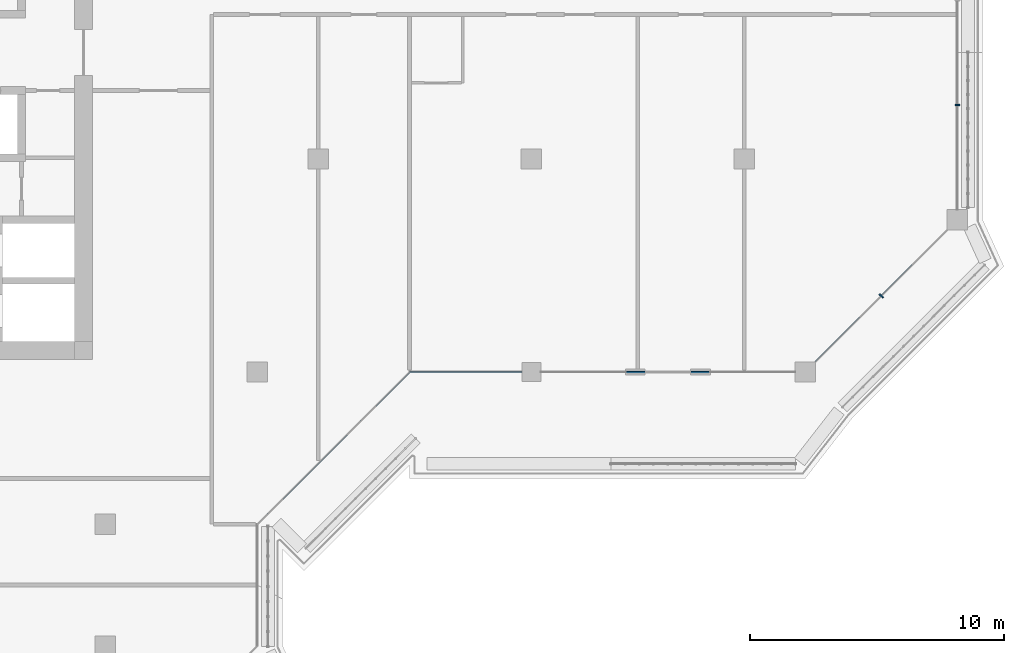
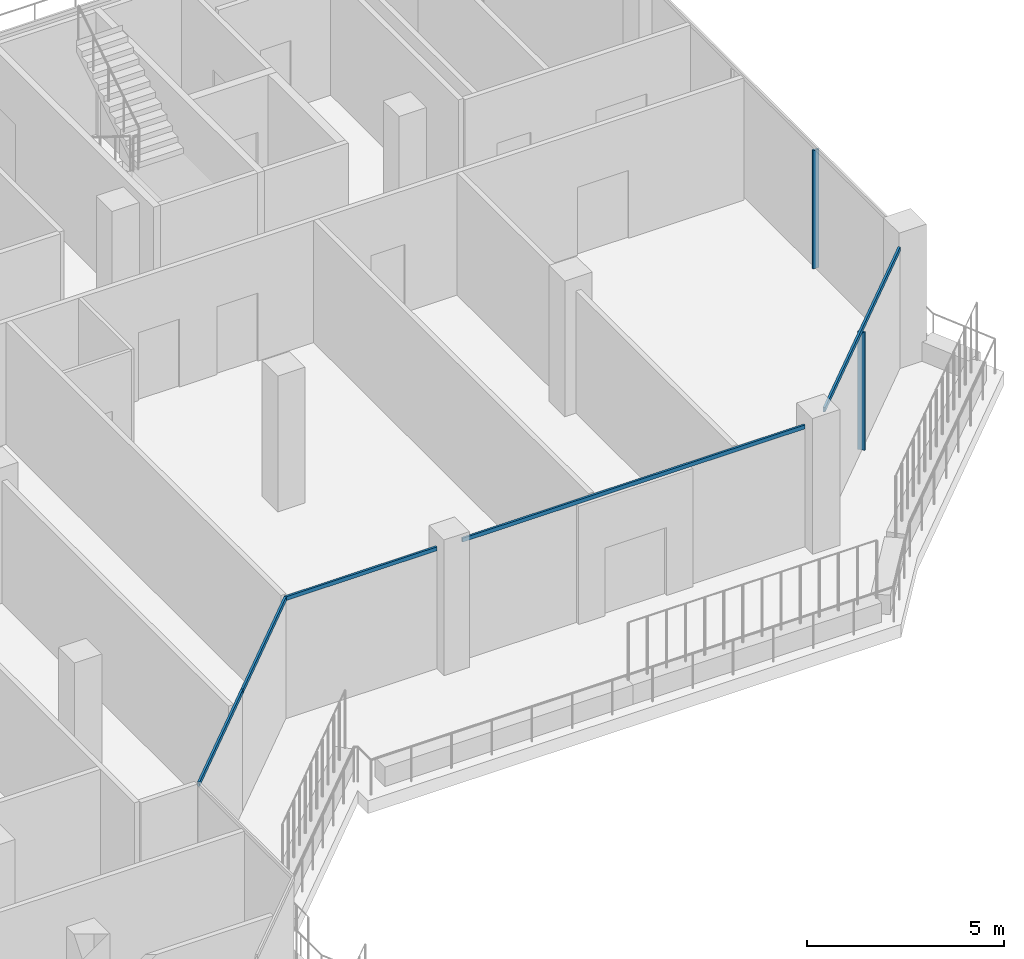
# One storey, part 4 of 20: 7 members, 4 elements without a shape of their own.
"""IFC4 building model written with IfcOpenShell, lengths in metres."""

import ifcopenshell
import ifcopenshell.guid

model = None  # the IFC model being written
_history = None  # IfcOwnerHistory: only IFC2X3 demands one
_inside = {}  # id of a spatial element -> (the spatial element, [elements in it])
_under = {}  # id of a project, library or spatial element -> (it, [spatial elements below it])
_declared = {}  # id of a project -> (the project, [libraries it declares])
_typed = {}  # id of a type object -> (the type object, [elements of that type])
_made_of = {}  # id of a material, layer set ... -> (it, [elements and type objects made of it])


def new_model(schema):
    """Start an empty IFC model of exactly this schema.

    Asked for "IFC4X3", IfcOpenShell would pick the latest addendum, in which some entities
    have other attributes; the version numbers below select the first issue.
    IFC2X3 requires an IfcOwnerHistory on every rooted entity: one is made here for all.
    """
    global model, _history
    if schema == "IFC4X3":
        model = ifcopenshell.file(schema_version=(4, 3, 0, 0))
    else:
        model = ifcopenshell.file(schema=schema)
    _inside.clear()
    _under.clear()
    _declared.clear()
    _typed.clear()
    _made_of.clear()
    _history = None
    if model.schema == "IFC2X3":
        org = make("IfcOrganization", Name="unknown")
        user = make(
            "IfcPersonAndOrganization",
            ThePerson=make("IfcPerson", FamilyName="unknown"),
            TheOrganization=org,
        )
        app = make(
            "IfcApplication",
            ApplicationDeveloper=org,
            Version="unknown",
            ApplicationFullName="unknown",
            ApplicationIdentifier="unknown",
        )
        _history = make(
            "IfcOwnerHistory",
            OwningUser=user,
            OwningApplication=app,
            ChangeAction="ADDED",
            CreationDate=0,
        )
    return model


def make(cls, **values):
    """One entity of the class cls with the attributes given. An attribute that is None is left unset."""
    return model.create_entity(
        cls, **{name: value for name, value in values.items() if value is not None}
    )


def rooted(cls, **values):
    """An entity with a GlobalId (a new one), such as an element, a storey or a relation."""
    return make(cls, GlobalId=ifcopenshell.guid.new(), OwnerHistory=_history, **values)


def si_unit(unit_type, name, prefix=None):
    """IfcSIUnit, for example si_unit("LENGTHUNIT", "METRE", prefix="MILLI")."""
    return make("IfcSIUnit", UnitType=unit_type, Prefix=prefix, Name=name)


def assignment(units):
    """IfcUnitAssignment: the units of a project."""
    return None if units is None else make("IfcUnitAssignment", Units=units)


def point(xyz):
    """IfcCartesianPoint."""
    return None if xyz is None else make("IfcCartesianPoint", Coordinates=xyz)


def direction(xyz):
    """IfcDirection."""
    return None if xyz is None else make("IfcDirection", DirectionRatios=xyz)


def frame(location, z_axis=None, x_axis=None):
    """IfcAxis2Placement3D, a coordinate frame: its origin and axes. An axis left out is left unset."""
    return make(
        "IfcAxis2Placement3D",
        Location=point(location),
        Axis=direction(z_axis),
        RefDirection=direction(x_axis),
    )


def frame_2d(location, x_axis=None):
    """IfcAxis2Placement2D, a coordinate frame in the plane: its origin and x axis."""
    return make(
        "IfcAxis2Placement2D", Location=point(location), RefDirection=direction(x_axis)
    )


def origin():
    """The frame at (0, 0, 0) with its axes left unset."""
    return frame((0.0, 0.0, 0.0))


def origin_2d():
    """The frame at (0, 0) in the plane with its x axis left unset."""
    return frame_2d((0.0, 0.0))


def place(relative_to, where):
    """IfcLocalPlacement: puts the frame where relative to a parent placement (None: the world)."""
    return make(
        "IfcLocalPlacement", PlacementRelTo=relative_to, RelativePlacement=where
    )


def context(
    kind, dimensions, precision=None, world=None, true_north=None, identifier=None
):
    """IfcGeometricRepresentationContext, for example the 3D "Model" context."""
    return make(
        "IfcGeometricRepresentationContext",
        ContextIdentifier=identifier,
        ContextType=kind,
        CoordinateSpaceDimension=dimensions,
        Precision=precision,
        WorldCoordinateSystem=world,
        TrueNorth=true_north,
    )


def subcontext(parent, identifier, kind, view, scale=None):
    """IfcGeometricRepresentationSubContext, for example "Body" below "Model"."""
    return make(
        "IfcGeometricRepresentationSubContext",
        ContextIdentifier=identifier,
        ContextType=kind,
        ParentContext=parent,
        TargetScale=scale,
        TargetView=view,
    )


def project(units=None, contexts=None):
    """IfcProject with its units and contexts."""
    return rooted(
        "IfcProject",
        Name="project",
        RepresentationContexts=contexts,
        UnitsInContext=assignment(units),
    )


def spatial(cls, under=None, at=None, **own):
    """A site, building, storey or space (cls), placed at a placement, below another one or the project."""
    s = rooted(cls, ObjectPlacement=at, **own)
    if under is not None:
        _under.setdefault(under.id(), (under, []))[1].append(s)
    return s


def profile(cls, at=None, kind="AREA", **sizes):
    """A parametric profile (cls). Its sizes go by their IFC names, for example OverallWidth=200.0."""
    return make(cls, ProfileType=kind, Position=at, **sizes)


def rectangle(**sizes):
    """IfcRectangleProfileDef."""
    return profile("IfcRectangleProfileDef", **sizes)


def extrude(swept, where, along, depth):
    """IfcExtrudedAreaSolid: the profile swept, set in the frame where, extruded along a direction by depth."""
    return make(
        "IfcExtrudedAreaSolid",
        SweptArea=swept,
        Position=where,
        ExtrudedDirection=direction(along),
        Depth=depth,
    )


def shape(context_of_items, identifier, shape_type, items):
    """IfcShapeRepresentation: the items that make up one representation, for example the "Body"."""
    return make(
        "IfcShapeRepresentation",
        ContextOfItems=context_of_items,
        RepresentationIdentifier=identifier,
        RepresentationType=shape_type,
        Items=items,
    )


def material(Name=None, Category=None):
    """IfcMaterial."""
    return make("IfcMaterial", Name=Name, Category=Category)


def layer(
    of_material, thickness, ventilated=None, Name=None, Category=None, Priority=None
):
    """IfcMaterialLayer: one layer of a wall or slab, of a material (None: an air gap)."""
    return make(
        "IfcMaterialLayer",
        Material=of_material,
        LayerThickness=thickness,
        IsVentilated=ventilated,
        Name=Name,
        Category=Category,
        Priority=Priority,
    )


def layer_set(layers, Name=None):
    """IfcMaterialLayerSet."""
    return make("IfcMaterialLayerSet", MaterialLayers=layers, LayerSetName=Name)


def material_profile(
    of_material, cross_section, Name=None, Category=None, Priority=None
):
    """IfcMaterialProfile: a cross section and its material."""
    return make(
        "IfcMaterialProfile",
        Name=Name,
        Material=of_material,
        Profile=cross_section,
        Priority=Priority,
        Category=Category,
    )


def profile_set(profiles, Name=None, composite=None):
    """IfcMaterialProfileSet."""
    return make(
        "IfcMaterialProfileSet",
        Name=Name,
        MaterialProfiles=profiles,
        CompositeProfile=composite,
    )


def made_of(thing, what):
    """Note that an element or type object is made of a material, layer set ...; save() writes the relation."""
    if what is not None:
        _made_of.setdefault(what.id(), (what, []))[1].append(thing)
    return thing


def type_object(cls, material=None, **own):
    """A type object (cls), such as IfcWallType, which elements share."""
    return made_of(rooted(cls, **own), material)


def element(
    cls,
    number,
    at=None,
    inside=None,
    cuts=None,
    type_object=None,
    material=None,
    context=None,
    identifier="Body",
    shape_type=None,
    held_by="IfcProductDefinitionShape",
    body=None,
    shapes=None,
    **own,
):
    """One element of the class cls, such as IfcWall. Its Tag is "e" and its number.

    at: its placement. inside: the storey or other place that contains it. cuts: it is an
    opening in that element (IfcRelVoidsElement). A single representation is given by context,
    identifier, shape_type and body (its items); several are given by shapes. held_by: the class
    of the entity that holds the representations. save() writes the other relations.
    """
    e = rooted(cls, Tag="e%d" % number, ObjectPlacement=at, **own)
    if body is not None:
        shapes = [shape(context, identifier, shape_type, body)]
    if shapes is not None:
        e.Representation = make(held_by, Representations=shapes)
    if inside is not None:
        _inside.setdefault(inside.id(), (inside, []))[1].append(e)
    if cuts is not None:
        rooted(
            "IfcRelVoidsElement", RelatingBuildingElement=cuts, RelatedOpeningElement=e
        )
    if type_object is not None:
        _typed.setdefault(type_object.id(), (type_object, []))[1].append(e)
    return made_of(e, material)


def aggregate(whole, parts):
    """IfcRelAggregates: a whole, such as a stair, and the parts it consists of."""
    return rooted("IfcRelAggregates", RelatingObject=whole, RelatedObjects=parts)


def save(model, path):
    """Write the relations noted so far, then the file.

    IfcRelAggregates (storeys below a building ...), IfcRelContainedInSpatialStructure (elements
    in a storey), IfcRelDefinesByType, IfcRelAssociatesMaterial and IfcRelDeclares: one each for
    every whole, place, type object, material and project.
    """
    for whole, parts in _under.values():
        aggregate(whole, parts)
    for where, things in _inside.values():
        rooted(
            "IfcRelContainedInSpatialStructure",
            RelatedElements=things,
            RelatingStructure=where,
        )
    for kind, things in _typed.values():
        rooted("IfcRelDefinesByType", RelatedObjects=things, RelatingType=kind)
    for what, things in _made_of.values():
        rooted("IfcRelAssociatesMaterial", RelatedObjects=things, RelatingMaterial=what)
    for by, libraries in _declared.values():
        rooted("IfcRelDeclares", RelatingContext=by, RelatedDefinitions=libraries)
    model.write(path)


model = new_model("IFC4")

# Units and contexts
model_context = context("Model", 3, precision=1e-05, world=origin(), true_north=direction((0.0, 1.0)))
body_context = subcontext(model_context, "Body", "Model", "MODEL_VIEW")
ifc_project = project(units=[si_unit("LENGTHUNIT", "METRE"), si_unit("AREAUNIT", "SQUARE_METRE"), si_unit("VOLUMEUNIT", "CUBIC_METRE"), si_unit("PLANEANGLEUNIT", "RADIAN"), si_unit("MASSUNIT", "GRAM", prefix="KILO")], contexts=[model_context])

# Site, building, storey
site_placement = place(None, origin())
site = spatial("IfcSite", under=ifc_project, at=site_placement, CompositionType="ELEMENT")
building_placement = place(site_placement, origin())
building = spatial("IfcBuilding", under=site, at=building_placement, Name="Kawkab Arch Medical Tower", CompositionType="ELEMENT")
storey_placement = place(building_placement, frame((0.0, 0.0, 328.0)))
storey = spatial("IfcBuildingStorey", under=building, at=storey_placement, Name="L76", CompositionType="ELEMENT", Elevation=328.0)

# Curtain wall, member
ifc_material_1 = material(Name="Bronze anodised aluminium curtain wall frame", Category="aluminium")
ifc_layer_1 = layer(ifc_material_1, 0.159912109375)
ifc_layer_set_1 = layer_set([ifc_layer_1], Name="Bronze anodised aluminium curtain wall frame")
curtain_wall_type_1 = type_object("IfcCurtainWallType", Name="CW1 ward curtain wall", PredefinedType="NOTDEFINED", material=ifc_layer_set_1)
placement = place(storey_placement, origin())
curtain_wall_1 = element("IfcCurtainWall", 1, at=placement, inside=storey, type_object=curtain_wall_type_1, Name="CW1 Ward curtain wall R13", PredefinedType="NOTDEFINED")
ifc_material_2 = material(Name="Bronze anodised aluminium curtain wall frame", Category="aluminium")
ifc_material_profile_1 = material_profile(ifc_material_2, rectangle(XDim=0.179931640625, YDim=0.06005859375, at=origin_2d()), Name="AL 60x180")
ifc_profile_set_1 = profile_set([ifc_material_profile_1], Name="Bronze anodised aluminium curtain wall frame")
member_type_1 = type_object("IfcMemberType", Name="CW1 mullion 60 x 180", PredefinedType="MULLION", material=ifc_profile_set_1)
member_1_placement = place(storey_placement, frame((58.800048828125, -14.666748046875, 0.0), z_axis=(0.0, 0.0, 1.0), x_axis=(-1.0, 0.0, 0.0)))
member_1 = element("IfcMember", 2, at=member_1_placement, type_object=member_type_1, Name="CW1 mullion 1.1", PredefinedType="MULLION", context=body_context, shape_type="SweptSolid", body=[
    extrude(rectangle(XDim=0.179931640625, YDim=0.06005859375, at=origin_2d()), origin(), (0.0, 0.0, 1.0), 3.659912109375),
])
aggregate(curtain_wall_1, [member_1])

# Curtain wall, members
curtain_wall_2 = element("IfcCurtainWall", 3, at=placement, inside=storey, type_object=curtain_wall_type_1, Name="CW1 Ward curtain wall R11", PredefinedType="NOTDEFINED")
ifc_material_3 = material(Name="Bronze anodised aluminium curtain wall frame", Category="aluminium")
ifc_material_profile_2 = material_profile(ifc_material_3, rectangle(XDim=0.06005859375, YDim=0.1201171875, at=origin_2d()), Name="AL 60x120")
ifc_profile_set_2 = profile_set([ifc_material_profile_2], Name="Bronze anodised aluminium curtain wall frame")
member_type_2 = type_object("IfcMemberType", Name="CW1 transom 120 x 60", PredefinedType="USERDEFINED", material=ifc_profile_set_2)
member_2_placement = place(storey_placement, frame((37.199951171875, -25.199951171875, 3.719970703125), z_axis=(1.0, 0.0, 0.0), x_axis=(0.0, 1.0, 0.0)))
member_2 = element("IfcMember", 4, at=member_2_placement, type_object=member_type_2, Name="CW1 transom 1", ObjectType="TRANSOM", PredefinedType="USERDEFINED", context=body_context, shape_type="SweptSolid", body=[
    extrude(rectangle(XDim=0.06005859375, YDim=0.1201171875, at=origin_2d()), origin(), (0.0, 0.0, 1.0), 4.425048828125),
])
member_3_placement = place(storey_placement, frame((42.375, -25.199951171875, 3.719970703125), z_axis=(1.0, 0.0, 0.0), x_axis=(0.0, 1.0, 0.0)))
member_3 = element("IfcMember", 5, at=member_3_placement, type_object=member_type_2, Name="CW1 transom 2", ObjectType="TRANSOM", PredefinedType="USERDEFINED", context=body_context, shape_type="SweptSolid", body=[
    extrude(rectangle(XDim=0.06005859375, YDim=0.1201171875, at=origin_2d()), origin(), (0.0, 0.0, 1.0), 10.02490234375),
])
aggregate(curtain_wall_2, [member_2, member_3])

# Curtain wall, member
ifc_material_4 = material(Name="Bronze anodised aluminium curtain wall frame", Category="aluminium")
ifc_layer_2 = layer(ifc_material_4, 0.159912109375)
ifc_layer_set_2 = layer_set([ifc_layer_2], Name="Bronze anodised aluminium curtain wall frame")
curtain_wall_type_2 = type_object("IfcCurtainWallType", Name="CW2 chamfer curtain wall", PredefinedType="NOTDEFINED", material=ifc_layer_set_2)
curtain_wall_3 = element("IfcCurtainWall", 6, at=placement, inside=storey, type_object=curtain_wall_type_2, Name="CW2 Chamfer curtain wall R12", PredefinedType="NOTDEFINED")
ifc_material_5 = material(Name="Bronze anodised aluminium curtain wall frame", Category="aluminium")
ifc_material_profile_3 = material_profile(ifc_material_5, rectangle(XDim=0.199951171875, YDim=0.06005859375, at=origin_2d()), Name="AL 60x200")
ifc_profile_set_3 = profile_set([ifc_material_profile_3], Name="Bronze anodised aluminium curtain wall frame")
member_type_3 = type_object("IfcMemberType", Name="CW2 mullion 60 x 200", PredefinedType="MULLION", material=ifc_profile_set_3)
member_4_placement = place(storey_placement, frame((55.800048828125, -22.199951171875, 0.0), z_axis=(0.0, 0.0, 1.0), x_axis=(-0.707106781187, 0.707106781187, 0.0)))
member_4 = element("IfcMember", 7, at=member_4_placement, type_object=member_type_3, Name="CW2 mullion 1.1", PredefinedType="MULLION", context=body_context, shape_type="SweptSolid", body=[
    extrude(rectangle(XDim=0.199951171875, YDim=0.06005859375, at=origin_2d()), origin(), (0.0, 0.0, 1.0), 3.639892578125),
])

# Curtain wall, members
curtain_wall_4 = element("IfcCurtainWall", 8, at=placement, inside=storey, type_object=curtain_wall_type_2, Name="CW2 Chamfer curtain wall R10", PredefinedType="NOTDEFINED")
ifc_material_6 = material(Name="Bronze anodised aluminium curtain wall frame", Category="aluminium")
ifc_material_profile_4 = material_profile(ifc_material_6, rectangle(XDim=0.06005859375, YDim=0.139892578125, at=origin_2d()), Name="AL 60x140")
ifc_profile_set_4 = profile_set([ifc_material_profile_4], Name="Bronze anodised aluminium curtain wall frame")
member_type_4 = type_object("IfcMemberType", Name="CW2 transom 140 x 60", PredefinedType="USERDEFINED", material=ifc_profile_set_4)
member_5_placement = place(storey_placement, frame((31.199951171875, -31.199951171875, 3.7099609375), z_axis=(0.707106781187, 0.707106781187, 0.0), x_axis=(-0.707106781187, 0.707106781187, 0.0)))
member_5 = element("IfcMember", 9, at=member_5_placement, type_object=member_type_4, Name="CW2 transom 1", ObjectType="TRANSOM", PredefinedType="USERDEFINED", context=body_context, shape_type="SweptSolid", body=[
    extrude(rectangle(XDim=0.06005859375, YDim=0.139892578125, at=origin_2d()), origin(), (0.0, 0.0, 1.0), 4.24267578125),
])
member_6_placement = place(storey_placement, frame((34.199951171875, -28.199951171875, 3.7099609375), z_axis=(0.707106781187, 0.707106781187, 0.0), x_axis=(-0.707106781187, 0.707106781187, 0.0)))
member_6 = element("IfcMember", 10, at=member_6_placement, type_object=member_type_4, Name="CW2 transom 2", ObjectType="TRANSOM", PredefinedType="USERDEFINED", context=body_context, shape_type="SweptSolid", body=[
    extrude(rectangle(XDim=0.06005859375, YDim=0.139892578125, at=origin_2d()), origin(), (0.0, 0.0, 1.0), 4.24267578125),
])
aggregate(curtain_wall_4, [member_5, member_6])

# Member
member_7_placement = place(storey_placement, frame((53.199951171875, -24.800048828125, 3.7099609375), z_axis=(0.707106781187, 0.707106781187, 0.0), x_axis=(-0.707106781187, 0.707106781187, 0.0)))
member_7 = element("IfcMember", 11, at=member_7_placement, type_object=member_type_4, Name="CW2 transom 1", ObjectType="TRANSOM", PredefinedType="USERDEFINED", context=body_context, shape_type="SweptSolid", body=[
    extrude(rectangle(XDim=0.06005859375, YDim=0.139892578125, at=origin_2d()), origin(), (0.0, 0.0, 1.0), 7.353759765625),
])

aggregate(curtain_wall_3, [member_7, member_4])

save(model, "model.ifc")
